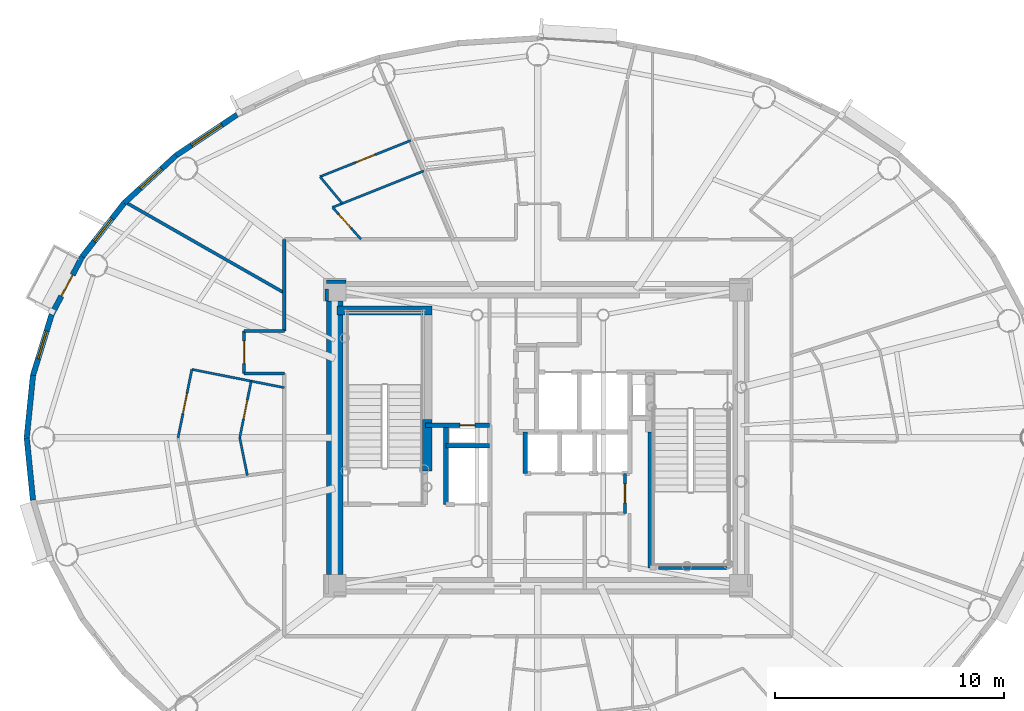
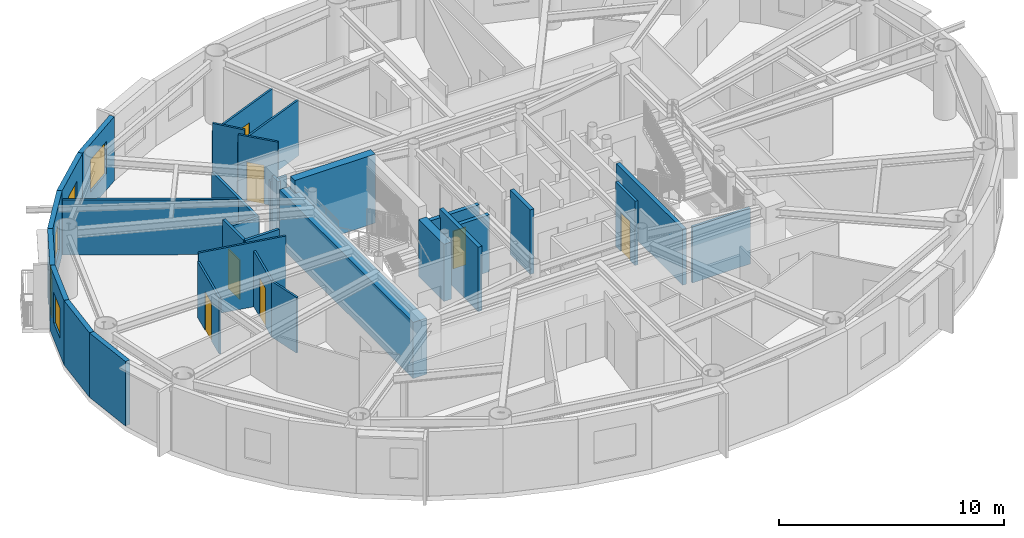
# One storey, part 7 of 18: 32 walls, 8 doors, 4 windows, 12 openings.
"""IFC4 building model written with IfcOpenShell, lengths in metres."""

from ifc_helpers import new_model, si_unit, direction, frame, frame_2d, origin, origin_2d, place, context, subcontext, project, spatial, rectangle, extrude, source, transform, mapped, material, layer, layer_set, type_object, element, fill, save


model = new_model("IFC4")

# Units and contexts
model_context = context("Model", 3, precision=1e-05, world=origin(), true_north=direction((0.0, 1.0)))
body_context = subcontext(model_context, "Body", "Model", "MODEL_VIEW")
ifc_project = project(units=[si_unit("LENGTHUNIT", "METRE"), si_unit("AREAUNIT", "SQUARE_METRE"), si_unit("VOLUMEUNIT", "CUBIC_METRE"), si_unit("PLANEANGLEUNIT", "RADIAN"), si_unit("MASSUNIT", "GRAM", prefix="KILO")], contexts=[model_context])

# Site, building, storey
site_placement = place(None, origin())
site = spatial("IfcSite", under=ifc_project, at=site_placement, CompositionType="ELEMENT")
building_placement = place(site_placement, origin())
building = spatial("IfcBuilding", under=site, at=building_placement, Name="Linh Dai School and Residence Tower", CompositionType="ELEMENT")
storey_placement = place(building_placement, frame((0.0, 0.0, 295.5)))
storey = spatial("IfcBuildingStorey", under=building, at=storey_placement, Name="L73", CompositionType="ELEMENT", Elevation=295.5)

# Wall, opening, window
ifc_material_1 = material(Name="Precast Concrete B45 (C35/45)", Category="concrete")
ifc_layer_1 = layer(ifc_material_1, 0.239990234375)
ifc_layer_set_1 = layer_set([ifc_layer_1], Name="Precast Concrete B45 (C35/45)")
wall_type_1 = type_object("IfcWallType", Name="EW-TC-240", PredefinedType="SOLIDWALL", material=ifc_layer_set_1)
wall_1_placement = place(storey_placement, frame((20.23779296875, 39.30419921875, 0.0), z_axis=(0.0, 0.0, 1.0), x_axis=(0.831250592635, 0.55589787933, 0.0)))
wall_1 = element("IfcWall", 1, at=wall_1_placement, inside=storey, type_object=wall_type_1, Name="L73 Terracotta Exterior Wall 15", PredefinedType="SOLIDWALL", context=body_context, shape_type="SweptSolid", body=[
    extrude(rectangle(XDim=3.197265625, YDim=0.239990234375, at=frame_2d((1.5986328125, 0.0))), origin(), (0.0, 0.0, 1.0), 3.5),
])
opening_1_placement = place(wall_1_placement, frame((0.798583984375, 0.0, 0.89990234375)))
opening_1 = element("IfcOpeningElement", 2, at=opening_1_placement, cuts=wall_1, Name="Opening W2", PredefinedType="OPENING", context=body_context, shape_type="SweptSolid", body=[
    extrude(rectangle(XDim=1.60009765625, YDim=1.75, at=origin_2d()), frame((0.800048828125, 0.1298828125, 0.875), z_axis=(0.0, -1.0, 0.0), x_axis=(1.0, 0.0, 0.0)), (0.0, 0.0, 1.0), 0.260009765625),
])
ifc_material_2 = material(Name="Double Low-E Insulated Glazing", Category="glass")
window_type_1 = type_object("IfcWindowType", Name="WN-RES-1600x1750", PartitioningType="DOUBLE_PANEL_VERTICAL", PredefinedType="WINDOW", material=ifc_material_2)
shared_shape_1 = source(origin(), body_context, "Body", "SweptSolid", [
    extrude(rectangle(XDim=1.60009765625, YDim=1.75, at=origin_2d()), frame((0.800048828125, 0.030029296875, 0.875), z_axis=(0.0, -1.0, 0.0), x_axis=(1.0, 0.0, 0.0)), (0.0, 0.0, 1.0), 0.06005859375),
])
window_1_placement = place(opening_1_placement, origin())
window_1 = element("IfcWindow", 3, at=window_1_placement, inside=storey, type_object=window_type_1, Name="L73 Exterior Window 15.1", OverallHeight=1.75, OverallWidth=1.60009765625, PartitioningType="DOUBLE_PANEL_VERTICAL", PredefinedType="WINDOW", context=body_context, shape_type="MappedRepresentation", body=[
    mapped(shared_shape_1, transform((0.0, 0.0, 0.0), x_axis=(1.0, 0.0, 0.0), y_axis=(0.0, 1.0, 0.0), z_axis=(0.0, 0.0, 1.0), scale=1.0)),
])
fill(opening_1, window_1)

wall_2_placement = place(storey_placement, frame((17.9697265625, 37.224609375, 0.0), z_axis=(0.0, 0.0, 1.0), x_axis=(0.737068506972, 0.675818034703, 0.0)))
wall_2 = element("IfcWall", 4, at=wall_2_placement, inside=storey, type_object=wall_type_1, Name="L73 Terracotta Exterior Wall 16", PredefinedType="SOLIDWALL", context=body_context, shape_type="SweptSolid", body=[
    extrude(rectangle(XDim=3.0771484375, YDim=0.239990234375, at=frame_2d((1.53857421875, 0.0))), origin(), (0.0, 0.0, 1.0), 3.5),
])
opening_2_placement = place(wall_2_placement, frame((0.96337890625, 0.0, 0.89990234375)))
opening_2 = element("IfcOpeningElement", 5, at=opening_2_placement, cuts=wall_2, Name="Opening W3", PredefinedType="OPENING", context=body_context, shape_type="SweptSolid", body=[
    extrude(rectangle(XDim=1.25, YDim=1.64990234375, at=origin_2d()), frame((0.625, 0.1298828125, 0.824951171875), z_axis=(0.0, -1.0, 0.0), x_axis=(1.0, 0.0, 0.0)), (0.0, 0.0, 1.0), 0.260009765625),
])
window_type_2 = type_object("IfcWindowType", Name="WN-RES-1250x1650", PartitioningType="SINGLE_PANEL", PredefinedType="WINDOW", material=ifc_material_2)
shared_shape_2 = source(origin(), body_context, "Body", "SweptSolid", [
    extrude(rectangle(XDim=1.25, YDim=1.64990234375, at=origin_2d()), frame((0.625, 0.030029296875, 0.824951171875), z_axis=(0.0, -1.0, 0.0), x_axis=(1.0, 0.0, 0.0)), (0.0, 0.0, 1.0), 0.06005859375),
])
window_2_placement = place(opening_2_placement, origin())
window_2 = element("IfcWindow", 6, at=window_2_placement, inside=storey, type_object=window_type_2, Name="L73 Exterior Window 16.1", OverallHeight=1.64990234375, OverallWidth=1.25, PartitioningType="SINGLE_PANEL", PredefinedType="WINDOW", context=body_context, shape_type="MappedRepresentation", body=[
    mapped(shared_shape_2, transform((0.0, 0.0, 0.0), x_axis=(1.0, 0.0, 0.0), y_axis=(0.0, 1.0, 0.0), z_axis=(0.0, 0.0, 1.0), scale=1.0)),
])
fill(opening_2, window_2)

wall_3_placement = place(storey_placement, frame((16.146240234375, 34.894775390625, 0.0), z_axis=(0.0, 0.0, 1.0), x_axis=(0.616337186556, 0.787482363275, 0.0)))
wall_3 = element("IfcWall", 7, at=wall_3_placement, inside=storey, type_object=wall_type_1, Name="L73 Terracotta Exterior Wall 17", PredefinedType="SOLIDWALL", context=body_context, shape_type="SweptSolid", body=[
    extrude(rectangle(XDim=2.95849609375, YDim=0.239990234375, at=frame_2d((1.479248046875, 0.0))), origin(), (0.0, 0.0, 1.0), 3.5),
])
opening_3_placement = place(wall_3_placement, frame((0.8544921875, 0.0, 0.89990234375)))
opening_3 = element("IfcOpeningElement", 8, at=opening_3_placement, cuts=wall_3, Name="Opening W3", PredefinedType="OPENING", context=body_context, shape_type="SweptSolid", body=[
    extrude(rectangle(XDim=1.25, YDim=1.64990234375, at=origin_2d()), frame((0.625, 0.1298828125, 0.824951171875), z_axis=(0.0, -1.0, 0.0), x_axis=(1.0, 0.0, 0.0)), (0.0, 0.0, 1.0), 0.260009765625),
])
window_3_placement = place(opening_3_placement, origin())
window_3 = element("IfcWindow", 9, at=window_3_placement, inside=storey, type_object=window_type_2, Name="L73 Exterior Window 17.1", OverallHeight=1.64990234375, OverallWidth=1.25, PartitioningType="SINGLE_PANEL", PredefinedType="WINDOW", context=body_context, shape_type="MappedRepresentation", body=[
    mapped(shared_shape_2, transform((0.0, 0.0, 0.0), x_axis=(1.0, 0.0, 0.0), y_axis=(0.0, 1.0, 0.0), z_axis=(0.0, 0.0, 1.0), scale=1.0)),
])
fill(opening_3, window_3)

# Wall, opening, door
wall_4_placement = place(storey_placement, frame((14.811767578125, 32.372314453125, 0.0), z_axis=(0.0, 0.0, 1.0), x_axis=(0.467628269026, 0.883925224218, 0.0)))
wall_4 = element("IfcWall", 10, at=wall_4_placement, inside=storey, type_object=wall_type_1, Name="L73 Terracotta Exterior Wall 18", PredefinedType="SOLIDWALL", context=body_context, shape_type="SweptSolid", body=[
    extrude(rectangle(XDim=2.853759765625, YDim=0.239990234375, at=frame_2d((1.4267578125, 0.0))), origin(), (0.0, 0.0, 1.0), 3.5),
])
opening_4_placement = place(wall_4_placement, frame((0.90185546875, 0.0, 0.0)))
opening_4 = element("IfcOpeningElement", 11, at=opening_4_placement, cuts=wall_4, Name="Opening BD1", PredefinedType="OPENING", context=body_context, shape_type="SweptSolid", body=[
    extrude(rectangle(XDim=1.050048828125, YDim=2.14990234375, at=origin_2d()), frame((0.52490234375, 0.1298828125, 1.074951171875), z_axis=(0.0, -1.0, 0.0), x_axis=(1.0, 0.0, 0.0)), (0.0, 0.0, 1.0), 0.260009765625),
])
ifc_material_3 = material(Name="Double-Glazed Balcony Door", Category="glass")
door_type_1 = type_object("IfcDoorType", Name="DR-BALC-1050x2150", OperationType="NOTDEFINED", PredefinedType="DOOR", material=ifc_material_3)
shared_shape_3 = source(origin(), body_context, "Body", "SweptSolid", [
    extrude(rectangle(XDim=1.050048828125, YDim=2.14990234375, at=origin_2d()), frame((0.52490234375, 0.02490234375, 1.074951171875), z_axis=(0.0, -1.0, 0.0), x_axis=(1.0, 0.0, 0.0)), (0.0, 0.0, 1.0), 0.050048828125),
])
door_1_placement = place(opening_4_placement, origin())
door_1 = element("IfcDoor", 12, at=door_1_placement, inside=storey, type_object=door_type_1, Name="L73 Glazed Balcony Door 18", OperationType="SINGLE_SWING_RIGHT", OverallHeight=2.14990234375, OverallWidth=1.050048828125, PredefinedType="DOOR", context=body_context, shape_type="MappedRepresentation", body=[
    mapped(shared_shape_3, transform((0.0, 0.0, 0.0), x_axis=(1.0, 0.0, 0.0), y_axis=(0.0, 1.0, 0.0), z_axis=(0.0, 0.0, 1.0), scale=1.0)),
])
fill(opening_4, door_1)

# Wall, opening, window
wall_5_placement = place(storey_placement, frame((13.998291015625, 29.718994140625, 0.0), z_axis=(0.0, 0.0, 1.0), x_axis=(0.2931213403, 0.956075248012, 0.0)))
wall_5 = element("IfcWall", 13, at=wall_5_placement, inside=storey, type_object=wall_type_1, Name="L73 Terracotta Exterior Wall 19", PredefinedType="SOLIDWALL", context=body_context, shape_type="SweptSolid", body=[
    extrude(rectangle(XDim=2.775146484375, YDim=0.239990234375, at=frame_2d((1.3876953125, 0.0))), origin(), (0.0, 0.0, 1.0), 3.5),
])
opening_5_placement = place(wall_5_placement, frame((0.7626953125, 0.0, 0.89990234375)))
opening_5 = element("IfcOpeningElement", 14, at=opening_5_placement, cuts=wall_5, Name="Opening W3", PredefinedType="OPENING", context=body_context, shape_type="SweptSolid", body=[
    extrude(rectangle(XDim=1.25, YDim=1.64990234375, at=origin_2d()), frame((0.625, 0.1298828125, 0.824951171875), z_axis=(0.0, -1.0, 0.0), x_axis=(1.0, 0.0, 0.0)), (0.0, 0.0, 1.0), 0.260009765625),
])
window_4_placement = place(opening_5_placement, origin())
window_4 = element("IfcWindow", 15, at=window_4_placement, inside=storey, type_object=window_type_2, Name="L73 Exterior Window 19.1", OverallHeight=1.64990234375, OverallWidth=1.25, PartitioningType="SINGLE_PANEL", PredefinedType="WINDOW", context=body_context, shape_type="MappedRepresentation", body=[
    mapped(shared_shape_2, transform((0.0, 0.0, 0.0), x_axis=(1.0, 0.0, 0.0), y_axis=(0.0, 1.0, 0.0), z_axis=(0.0, 0.0, 1.0), scale=1.0)),
])
fill(opening_5, window_4)

# Walls
for number, where, z_axis, x_axis, name in (
    (16, (13.72509765625, 27.0, 0.0), (0.0, 0.0, 1.0), (0.099972526841, 0.99499019788, 0.0), "L73 Terracotta Exterior Wall 20"),
    (17, (13.998291015625, 24.281005859375, 0.0), (0.0, 0.0, 1.0), (-0.099972526841, 0.99499019788, 0.0), "L73 Terracotta Exterior Wall 21"),
):
    element("IfcWall", number, at=place(storey_placement, frame(where, z_axis=z_axis, x_axis=x_axis)), inside=storey, type_object=wall_type_1, Name=name, PredefinedType="SOLIDWALL", context=body_context, shape_type="SweptSolid", body=[
        extrude(rectangle(XDim=2.732666015625, YDim=0.239990234375, at=frame_2d((1.3662109375, 0.0))), origin(), (0.0, 0.0, 1.0), 3.5),
    ])
ifc_material_4 = material(Name="Autoclaved Aerated Concrete Blockwork", Category="masonry")
ifc_layer_2 = layer(ifc_material_4, 0.135009765625)
ifc_layer_set_2 = layer_set([ifc_layer_2], Name="Autoclaved Aerated Concrete Blockwork")
wall_type_2 = type_object("IfcWallType", Name="IW-CORR-135-EI90", PredefinedType="PARTITIONING", material=ifc_layer_set_2)
wall_6_placement = place(storey_placement, frame((18.016357421875, 37.2744140625, 0.0), z_axis=(0.0, 0.0, 1.0), x_axis=(0.868277005727, -0.496079672357, 0.0)))
element("IfcWall", 18, at=wall_6_placement, inside=storey, type_object=wall_type_2, Name="L73 Interior Partition Wall 002", PredefinedType="PARTITIONING", context=body_context, shape_type="SweptSolid", body=[
    extrude(rectangle(XDim=7.9853515625, YDim=0.135009765625, at=frame_2d((3.99267578125, 0.0))), origin(), (0.0, 0.0, 1.0), 2.985107421875),
])

# Wall, opening, door
wall_7_placement = place(storey_placement, frame((23.199951171875, 29.800048828125, 0.0), z_axis=(0.0, 0.0, 1.0), x_axis=(0.0, 1.0, 0.0)))
wall_7 = element("IfcWall", 19, at=wall_7_placement, inside=storey, type_object=wall_type_2, Name="L73 Interior Partition Wall 011", PredefinedType="PARTITIONING", context=body_context, shape_type="SweptSolid", body=[
    extrude(rectangle(XDim=1.849853515625, YDim=0.135009765625, at=frame_2d((0.9248046875, 0.0))), origin(), (0.0, 0.0, 1.0), 3.5),
])
opening_6_placement = place(wall_7_placement, frame((0.425048828125, 0.0, 0.0)))
opening_6 = element("IfcOpeningElement", 20, at=opening_6_placement, cuts=wall_7, Name="Opening D03", PredefinedType="OPENING", context=body_context, shape_type="SweptSolid", body=[
    extrude(rectangle(XDim=1.0, YDim=2.14990234375, at=origin_2d()), frame((0.5, 0.07763671875, 1.074951171875), z_axis=(0.0, -1.0, 0.0), x_axis=(1.0, 0.0, 0.0)), (0.0, 0.0, 1.0), 0.155029296875),
])
ifc_material_5 = material(Name="Fire-Rated Solid Timber Entrance Door", Category="wood")
door_type_2 = type_object("IfcDoorType", Name="DR-FLAT-1000x2150-FD60S", OperationType="NOTDEFINED", PredefinedType="DOOR", material=ifc_material_5)
shared_shape_4 = source(origin(), body_context, "Body", "SweptSolid", [
    extrude(rectangle(XDim=1.0, YDim=2.14990234375, at=origin_2d()), frame((0.5, 0.02490234375, 1.074951171875), z_axis=(0.0, -1.0, 0.0), x_axis=(1.0, 0.0, 0.0)), (0.0, 0.0, 1.0), 0.050048828125),
])
door_2_placement = place(opening_6_placement, origin())
door_2 = element("IfcDoor", 21, at=door_2_placement, inside=storey, type_object=door_type_2, Name="L73 U7303 Apartment Entrance Door", OperationType="SINGLE_SWING_LEFT", OverallHeight=2.14990234375, OverallWidth=1.0, PredefinedType="DOOR", context=body_context, shape_type="MappedRepresentation", body=[
    mapped(shared_shape_4, transform((0.0, 0.0, 0.0), x_axis=(1.0, 0.0, 0.0), y_axis=(0.0, 1.0, 0.0), z_axis=(0.0, 0.0, 1.0), scale=1.0)),
])
fill(opening_6, door_2)

# Walls
wall_8_placement = place(storey_placement, frame((23.199951171875, 29.800048828125, 0.0), z_axis=(0.0, 0.0, 1.0), x_axis=(1.0, 0.0, 0.0)))
element("IfcWall", 22, at=wall_8_placement, inside=storey, type_object=wall_type_2, Name="L73 Interior Partition Wall 012", PredefinedType="PARTITIONING", context=body_context, shape_type="SweptSolid", body=[
    extrude(rectangle(XDim=1.75, YDim=0.135009765625, at=frame_2d((0.875, 0.0))), origin(), (0.0, 0.0, 1.0), 3.5),
])
wall_9_placement = place(storey_placement, frame((23.199951171875, 31.64990234375, 0.0), z_axis=(0.0, 0.0, 1.0), x_axis=(1.0, 0.0, 0.0)))
element("IfcWall", 23, at=wall_9_placement, inside=storey, type_object=wall_type_2, Name="L73 Interior Partition Wall 013", PredefinedType="PARTITIONING", context=body_context, shape_type="SweptSolid", body=[
    extrude(rectangle(XDim=1.75, YDim=0.135009765625, at=frame_2d((0.875, 0.0))), origin(), (0.0, 0.0, 1.0), 3.034912109375),
])
wall_10_placement = place(storey_placement, frame((24.949951171875, 31.64990234375, 0.0), z_axis=(0.0, 0.0, 1.0), x_axis=(0.0, 1.0, 0.0)))
element("IfcWall", 24, at=wall_10_placement, inside=storey, type_object=wall_type_2, Name="L73 Interior Partition Wall 018", PredefinedType="PARTITIONING", context=body_context, shape_type="SweptSolid", body=[
    extrude(rectangle(XDim=4.0, YDim=0.135009765625, at=frame_2d((2.0, 0.0))), origin(), (0.0, 0.0, 1.0), 3.034912109375),
])

# Wall, opening, door
wall_11_placement = place(storey_placement, frame((39.800048828125, 23.699951171875, 0.0), z_axis=(0.0, 0.0, 1.0), x_axis=(0.0, 1.0, 0.0)))
wall_11 = element("IfcWall", 25, at=wall_11_placement, inside=storey, type_object=wall_type_2, Name="L73 Interior Partition Wall 067", PredefinedType="PARTITIONING", context=body_context, shape_type="SweptSolid", body=[
    extrude(rectangle(XDim=1.75, YDim=0.135009765625, at=frame_2d((0.875, 0.0))), origin(), (0.0, 0.0, 1.0), 3.5),
])
opening_7_placement = place(wall_11_placement, frame((0.465087890625, 0.0, 0.0)))
opening_7 = element("IfcOpeningElement", 26, at=opening_7_placement, cuts=wall_11, Name="Opening D06", PredefinedType="OPENING", context=body_context, shape_type="SweptSolid", body=[
    extrude(rectangle(XDim=0.820068359375, YDim=2.10009765625, at=origin_2d()), frame((0.41015625, 0.07763671875, 1.050048828125), z_axis=(0.0, -1.0, 0.0), x_axis=(1.0, 0.0, 0.0)), (0.0, 0.0, 1.0), 0.155029296875),
])
ifc_material_6 = material(Name="Moisture-Resistant Timber Bathroom Door", Category="wood")
door_type_3 = type_object("IfcDoorType", Name="DR-WET-820x2100", OperationType="NOTDEFINED", PredefinedType="DOOR", material=ifc_material_6)
shared_shape_5 = source(origin(), body_context, "Body", "SweptSolid", [
    extrude(rectangle(XDim=0.820068359375, YDim=2.10009765625, at=origin_2d()), frame((0.41015625, 0.02490234375, 1.050048828125), z_axis=(0.0, -1.0, 0.0), x_axis=(1.0, 0.0, 0.0)), (0.0, 0.0, 1.0), 0.050048828125),
])
door_3_placement = place(opening_7_placement, origin())
door_3 = element("IfcDoor", 27, at=door_3_placement, inside=storey, type_object=door_type_3, Name="L73 East Linen Store Door", OperationType="SINGLE_SWING_LEFT", OverallHeight=2.10009765625, OverallWidth=0.820068359375, PredefinedType="DOOR", context=body_context, shape_type="MappedRepresentation", body=[
    mapped(shared_shape_5, transform((0.0, 0.0, 0.0), x_axis=(1.0, 0.0, 0.0), y_axis=(0.0, 1.0, 0.0), z_axis=(0.0, 0.0, 1.0), scale=1.0)),
])
fill(opening_7, door_3)

# Walls
wall_12_placement = place(storey_placement, frame((44.239990234375, 21.330078125, 0.0), z_axis=(0.0, 0.0, 1.0), x_axis=(-1.0, 0.0, 0.0)))
element("IfcWall", 28, at=wall_12_placement, inside=storey, type_object=wall_type_2, Name="L73 Interior Partition Wall 091", PredefinedType="PARTITIONING", context=body_context, shape_type="SweptSolid", body=[
    extrude(rectangle(XDim=2.97998046875, YDim=0.135009765625, at=frame_2d((1.489990234375, 0.0))), origin(), (0.0, 0.0, 1.0), 3.034912109375),
])
wall_13_placement = place(storey_placement, frame((27.639892578125, 33.800048828125, 0.0), z_axis=(0.0, 0.0, 1.0), x_axis=(-1.0, 0.0, 0.0)))
element("IfcWall", 29, at=wall_13_placement, inside=storey, type_object=wall_type_2, Name="L73 Interior Partition Wall 094", PredefinedType="PARTITIONING", context=body_context, shape_type="SweptSolid", body=[
    extrude(rectangle(XDim=0.83984375, YDim=0.135009765625, at=frame_2d((0.419921875, 0.0))), origin(), (0.0, 0.0, 1.0), 3.034912109375),
])
wall_14_placement = place(storey_placement, frame((26.800048828125, 33.492431640625, 0.0), z_axis=(0.0, 0.0, 1.0), x_axis=(0.0, -1.0, 0.0)))
element("IfcWall", 30, at=wall_14_placement, inside=storey, type_object=wall_type_2, Name="L73 Interior Partition Wall 095", PredefinedType="PARTITIONING", context=body_context, shape_type="SweptSolid", body=[
    extrude(rectangle(XDim=0.532470703125, YDim=0.135009765625, at=frame_2d((0.26611328125, 0.0))), origin(), (0.0, 0.0, 1.0), 3.5),
])

# Wall, opening, door
ifc_material_7 = material(Name="Concrete B45 (C35/45)", Category="concrete")
ifc_layer_3 = layer(ifc_material_7, 0.199951171875)
ifc_layer_set_3 = layer_set([ifc_layer_3], Name="Concrete B45 (C35/45)")
wall_type_3 = type_object("IfcWallType", Name="IW-SHAFT-200-EI120", PredefinedType="PARTITIONING", material=ifc_layer_set_3)
wall_15_placement = place(storey_placement, frame((31.10009765625, 27.550048828125, 0.0), z_axis=(0.0, 0.0, 1.0), x_axis=(1.0, 0.0, 0.0)))
wall_15 = element("IfcWall", 31, at=wall_15_placement, inside=storey, type_object=wall_type_3, Name="L73 Interior Partition Wall 029", PredefinedType="PARTITIONING", context=body_context, shape_type="SweptSolid", body=[
    extrude(rectangle(XDim=2.7998046875, YDim=0.199951171875, at=frame_2d((1.39990234375, 0.0))), origin(), (0.0, 0.0, 1.0), 3.0849609375),
])
opening_8_placement = place(wall_15_placement, frame((1.5, 0.0, 0.0)))
opening_8 = element("IfcOpeningElement", 32, at=opening_8_placement, cuts=wall_15, Name="Opening AD1", PredefinedType="OPENING", context=body_context, shape_type="SweptSolid", body=[
    extrude(rectangle(XDim=0.659912109375, YDim=2.050048828125, at=origin_2d()), frame((0.330078125, 0.10986328125, 1.02490234375), z_axis=(0.0, -1.0, 0.0), x_axis=(1.0, 0.0, 0.0)), (0.0, 0.0, 1.0), 0.219970703125),
])
ifc_material_8 = material(Name="Fire-Rated Steel Riser Access Door", Category="steel")
door_type_4 = type_object("IfcDoorType", Name="DR-ACC-660x2050-FD90S", OperationType="NOTDEFINED", PredefinedType="USERDEFINED", material=ifc_material_8)
shared_shape_6 = source(origin(), body_context, "Body", "SweptSolid", [
    extrude(rectangle(XDim=0.659912109375, YDim=2.050048828125, at=origin_2d()), frame((0.330078125, 0.02490234375, 1.02490234375), z_axis=(0.0, -1.0, 0.0), x_axis=(1.0, 0.0, 0.0)), (0.0, 0.0, 1.0), 0.050048828125),
])
door_4_placement = place(opening_8_placement, origin())
door_4 = element("IfcDoor", 33, at=door_4_placement, inside=storey, type_object=door_type_4, Name="L73 Main Electrical Riser Access Door", ObjectType="ACCESS DOOR", OperationType="SINGLE_SWING_RIGHT", OverallHeight=2.050048828125, OverallWidth=0.659912109375, PredefinedType="USERDEFINED", context=body_context, shape_type="MappedRepresentation", body=[
    mapped(shared_shape_6, transform((0.0, 0.0, 0.0), x_axis=(1.0, 0.0, 0.0), y_axis=(0.0, 1.0, 0.0), z_axis=(0.0, 0.0, 1.0), scale=1.0)),
])
fill(opening_8, door_4)

# Walls
wall_16_placement = place(storey_placement, frame((32.0, 24.10009765625, 0.0), z_axis=(0.0, 0.0, 1.0), x_axis=(0.0, 1.0, 0.0)))
element("IfcWall", 34, at=wall_16_placement, inside=storey, type_object=wall_type_3, Name="L73 Interior Partition Wall 031", PredefinedType="PARTITIONING", context=body_context, shape_type="SweptSolid", body=[
    extrude(rectangle(XDim=3.449951171875, YDim=0.199951171875, at=frame_2d((1.72509765625, 0.0))), origin(), (0.0, 0.0, 1.0), 3.5),
])
wall_17_placement = place(storey_placement, frame((32.0, 26.64990234375, 0.0), z_axis=(0.0, 0.0, 1.0), x_axis=(1.0, 0.0, 0.0)))
element("IfcWall", 35, at=wall_17_placement, inside=storey, type_object=wall_type_3, Name="L73 Interior Partition Wall 033", PredefinedType="PARTITIONING", context=body_context, shape_type="SweptSolid", body=[
    extrude(rectangle(XDim=1.89990234375, YDim=0.199951171875, at=frame_2d((0.949951171875, 0.0))), origin(), (0.0, 0.0, 1.0), 3.0849609375),
])
wall_18_placement = place(storey_placement, frame((35.449951171875, 25.449951171875, 0.0), z_axis=(0.0, 0.0, 1.0), x_axis=(0.0, 1.0, 0.0)))
element("IfcWall", 36, at=wall_18_placement, inside=storey, type_object=wall_type_3, Name="L73 Interior Partition Wall 051", PredefinedType="PARTITIONING", context=body_context, shape_type="SweptSolid", body=[
    extrude(rectangle(XDim=1.800048828125, YDim=0.199951171875, at=frame_2d((0.89990234375, 0.0))), origin(), (0.0, 0.0, 1.0), 3.5),
])
wall_19_placement = place(storey_placement, frame((40.89990234375, 21.330078125, 0.0), z_axis=(0.0, 0.0, 1.0), x_axis=(0.0, 1.0, 0.0)))
element("IfcWall", 37, at=wall_19_placement, inside=storey, type_object=wall_type_3, Name="L73 Interior Partition Wall 074", PredefinedType="PARTITIONING", context=body_context, shape_type="SweptSolid", body=[
    extrude(rectangle(XDim=5.909912109375, YDim=0.199951171875, at=frame_2d((2.955078125, 0.0))), origin(), (0.0, 0.0, 1.0), 3.034912109375),
])

# Wall, opening, door
ifc_material_9 = material(Name="Gypsum Plasterboard Acoustic Stud Partition", Category="masonry")
ifc_layer_4 = layer(ifc_material_9, 0.10009765625)
ifc_layer_set_4 = layer_set([ifc_layer_4], Name="Gypsum Plasterboard Acoustic Stud Partition")
wall_type_4 = type_object("IfcWallType", Name="IW-UNIT-100", PredefinedType="PARTITIONING", material=ifc_layer_set_4)
wall_20_placement = place(storey_placement, frame((20.320068359375, 27.0, 0.0), z_axis=(0.0, 0.0, 1.0), x_axis=(0.198201469781, 0.980161301713, 0.0)))
wall_20 = element("IfcWall", 38, at=wall_20_placement, inside=storey, type_object=wall_type_4, Name="L73 Interior Partition Wall 004", PredefinedType="PARTITIONING", context=body_context, shape_type="SweptSolid", body=[
    extrude(rectangle(XDim=3.038818359375, YDim=0.10009765625, at=frame_2d((1.51953125, 0.0))), origin(), (0.0, 0.0, 1.0), 3.034912109375),
])
opening_9_placement = place(wall_20_placement, frame((1.0693359375, 0.0, 0.0)))
opening_9 = element("IfcOpeningElement", 39, at=opening_9_placement, cuts=wall_20, Name="Opening D05", PredefinedType="OPENING", context=body_context, shape_type="SweptSolid", body=[
    extrude(rectangle(XDim=0.89990234375, YDim=2.10009765625, at=origin_2d()), frame((0.449951171875, 0.06005859375, 1.050048828125), z_axis=(0.0, -1.0, 0.0), x_axis=(1.0, 0.0, 0.0)), (0.0, 0.0, 1.0), 0.1201171875),
])
ifc_material_10 = material(Name="Engineered Timber Internal Door", Category="wood")
door_type_5 = type_object("IfcDoorType", Name="DR-INT-900x2100", OperationType="NOTDEFINED", PredefinedType="DOOR", material=ifc_material_10)
shared_shape_7 = source(origin(), body_context, "Body", "SweptSolid", [
    extrude(rectangle(XDim=0.89990234375, YDim=2.10009765625, at=origin_2d()), frame((0.449951171875, 0.02490234375, 1.050048828125), z_axis=(0.0, -1.0, 0.0), x_axis=(1.0, 0.0, 0.0)), (0.0, 0.0, 1.0), 0.050048828125),
])
door_5_placement = place(opening_9_placement, origin())
door_5 = element("IfcDoor", 40, at=door_5_placement, inside=storey, type_object=door_type_5, Name="L73 Apartment U7303 Kitchen Door", OperationType="SINGLE_SWING_RIGHT", OverallHeight=2.10009765625, OverallWidth=0.89990234375, PredefinedType="DOOR", context=body_context, shape_type="MappedRepresentation", body=[
    mapped(shared_shape_7, transform((0.0, 0.0, 0.0), x_axis=(1.0, 0.0, 0.0), y_axis=(0.0, 1.0, 0.0), z_axis=(0.0, 0.0, 1.0), scale=1.0)),
])
fill(opening_9, door_5)

# Walls
wall_21_placement = place(storey_placement, frame((20.92236328125, 29.978515625, 0.0), z_axis=(0.0, 0.0, 1.0), x_axis=(0.981042206934, -0.19379419035, 0.0)))
element("IfcWall", 41, at=wall_21_placement, inside=storey, type_object=wall_type_4, Name="L73 Interior Partition Wall 006", PredefinedType="PARTITIONING", context=body_context, shape_type="SweptSolid", body=[
    extrude(rectangle(XDim=4.105712890625, YDim=0.10009765625, at=frame_2d((2.052734375, 0.0))), origin(), (0.0, 0.0, 1.0), 3.5),
])
wall_22_placement = place(storey_placement, frame((23.008056640625, 27.0, 0.0), z_axis=(0.0, 0.0, 1.0), x_axis=(0.198189512146, -0.980163719628, 0.0)))
element("IfcWall", 42, at=wall_22_placement, inside=storey, type_object=wall_type_4, Name="L73 Interior Partition Wall 009", PredefinedType="PARTITIONING", context=body_context, shape_type="SweptSolid", body=[
    extrude(rectangle(XDim=1.67529296875, YDim=0.10009765625, at=frame_2d((0.837646484375, 0.0))), origin(), (0.0, 0.0, 1.0), 3.034912109375),
])

# Wall, opening, door
wall_23_placement = place(storey_placement, frame((23.008056640625, 27.0, 0.0), z_axis=(0.0, 0.0, 1.0), x_axis=(0.19818541272, 0.980164548525, 0.0)))
wall_23 = element("IfcWall", 43, at=wall_23_placement, inside=storey, type_object=wall_type_4, Name="L73 Interior Partition Wall 010", PredefinedType="PARTITIONING", context=body_context, shape_type="SweptSolid", body=[
    extrude(rectangle(XDim=2.51806640625, YDim=0.10009765625, at=frame_2d((1.259033203125, 0.0))), origin(), (0.0, 0.0, 1.0), 3.034912109375),
])
opening_10_placement = place(wall_23_placement, frame((0.84912109375, 0.0, 0.0)))
opening_10 = element("IfcOpeningElement", 44, at=opening_10_placement, cuts=wall_23, Name="Opening D06", PredefinedType="OPENING", context=body_context, shape_type="SweptSolid", body=[
    extrude(rectangle(XDim=0.820068359375, YDim=2.10009765625, at=origin_2d()), frame((0.41015625, 0.06005859375, 1.050048828125), z_axis=(0.0, -1.0, 0.0), x_axis=(1.0, 0.0, 0.0)), (0.0, 0.0, 1.0), 0.1201171875),
])
door_6_placement = place(opening_10_placement, origin())
door_6 = element("IfcDoor", 45, at=door_6_placement, inside=storey, type_object=door_type_3, Name="L73 Apartment U7303 Bathroom Door", OperationType="SINGLE_SWING_LEFT", OverallHeight=2.10009765625, OverallWidth=0.820068359375, PredefinedType="DOOR", context=body_context, shape_type="MappedRepresentation", body=[
    mapped(shared_shape_5, transform((0.0, 0.0, 0.0), x_axis=(1.0, 0.0, 0.0), y_axis=(0.0, 1.0, 0.0), z_axis=(0.0, 0.0, 1.0), scale=1.0)),
])
fill(opening_10, door_6)

# Wall
wall_24_placement = place(storey_placement, frame((26.507080078125, 38.378173828125, 0.0), z_axis=(0.0, 0.0, 1.0), x_axis=(0.640626707989, -0.767852473468, 0.0)))
element("IfcWall", 46, at=wall_24_placement, inside=storey, type_object=wall_type_4, Name="L73 Interior Partition Wall 020", PredefinedType="PARTITIONING", context=body_context, shape_type="SweptSolid", body=[
    extrude(rectangle(XDim=1.519775390625, YDim=0.10009765625, at=frame_2d((0.759765625, 0.0))), origin(), (0.0, 0.0, 1.0), 3.5),
])

# Wall, opening, door
wall_25_placement = place(storey_placement, frame((26.507080078125, 38.378173828125, 0.0), z_axis=(0.0, 0.0, 1.0), x_axis=(0.928788495711, 0.370610213345, 0.0)))
wall_25 = element("IfcWall", 47, at=wall_25_placement, inside=storey, type_object=wall_type_4, Name="L73 Interior Partition Wall 021", PredefinedType="PARTITIONING", context=body_context, shape_type="SweptSolid", body=[
    extrude(rectangle(XDim=4.261474609375, YDim=0.10009765625, at=frame_2d((2.130859375, 0.0))), origin(), (0.0, 0.0, 1.0), 3.034912109375),
])
opening_11_placement = place(wall_25_placement, frame((1.680908203125, 0.0, 0.0)))
opening_11 = element("IfcOpeningElement", 48, at=opening_11_placement, cuts=wall_25, Name="Opening D05", PredefinedType="OPENING", context=body_context, shape_type="SweptSolid", body=[
    extrude(rectangle(XDim=0.89990234375, YDim=2.10009765625, at=origin_2d()), frame((0.449951171875, 0.06005859375, 1.050048828125), z_axis=(0.0, -1.0, 0.0), x_axis=(1.0, 0.0, 0.0)), (0.0, 0.0, 1.0), 0.1201171875),
])
door_7_placement = place(opening_11_placement, origin())
door_7 = element("IfcDoor", 49, at=door_7_placement, inside=storey, type_object=door_type_5, Name="L73 Apartment U7302 Kitchen Door", OperationType="SINGLE_SWING_RIGHT", OverallHeight=2.10009765625, OverallWidth=0.89990234375, PredefinedType="DOOR", context=body_context, shape_type="MappedRepresentation", body=[
    mapped(shared_shape_7, transform((0.0, 0.0, 0.0), x_axis=(1.0, 0.0, 0.0), y_axis=(0.0, 1.0, 0.0), z_axis=(0.0, 0.0, 1.0), scale=1.0)),
])
fill(opening_11, door_7)

wall_26_placement = place(storey_placement, frame((27.054931640625, 37.04150390625, 0.0), z_axis=(0.0, 0.0, 1.0), x_axis=(0.665119722178, -0.746736737525, 0.0)))
wall_26 = element("IfcWall", 50, at=wall_26_placement, inside=storey, type_object=wall_type_4, Name="L73 Interior Partition Wall 022", PredefinedType="PARTITIONING", context=body_context, shape_type="SweptSolid", body=[
    extrude(rectangle(XDim=1.863525390625, YDim=0.10009765625, at=frame_2d((0.931640625, 0.0))), origin(), (0.0, 0.0, 1.0), 3.5),
])
opening_12_placement = place(wall_26_placement, frame((0.401123046875, 0.0, 0.0)))
opening_12 = element("IfcOpeningElement", 51, at=opening_12_placement, cuts=wall_26, Name="Opening D06", PredefinedType="OPENING", context=body_context, shape_type="SweptSolid", body=[
    extrude(rectangle(XDim=0.820068359375, YDim=2.10009765625, at=origin_2d()), frame((0.41015625, 0.06005859375, 1.050048828125), z_axis=(0.0, -1.0, 0.0), x_axis=(1.0, 0.0, 0.0)), (0.0, 0.0, 1.0), 0.1201171875),
])
door_8_placement = place(opening_12_placement, origin())
door_8 = element("IfcDoor", 52, at=door_8_placement, inside=storey, type_object=door_type_3, Name="L73 Apartment U7302 Bathroom Door", OperationType="SINGLE_SWING_LEFT", OverallHeight=2.10009765625, OverallWidth=0.820068359375, PredefinedType="DOOR", context=body_context, shape_type="MappedRepresentation", body=[
    mapped(shared_shape_5, transform((0.0, 0.0, 0.0), x_axis=(1.0, 0.0, 0.0), y_axis=(0.0, 1.0, 0.0), z_axis=(0.0, 0.0, 1.0), scale=1.0)),
])
fill(opening_12, door_8)

# Walls
wall_27_placement = place(storey_placement, frame((27.054931640625, 37.04150390625, 0.0), z_axis=(0.0, 0.0, 1.0), x_axis=(0.928814416372, 0.370545246819, 0.0)))
element("IfcWall", 53, at=wall_27_placement, inside=storey, type_object=wall_type_4, Name="L73 Interior Partition Wall 023", PredefinedType="PARTITIONING", context=body_context, shape_type="SweptSolid", body=[
    extrude(rectangle(XDim=4.28271484375, YDim=0.10009765625, at=frame_2d((2.141357421875, 0.0))), origin(), (0.0, 0.0, 1.0), 3.034912109375),
])
ifc_layer_5 = layer(ifc_material_7, 0.39990234375)
ifc_layer_set_5 = layer_set([ifc_layer_5], Name="Concrete B45 (C35/45)")
wall_type_5 = type_object("IfcWallType", Name="WL-CORE400", PredefinedType="SHEAR", material=ifc_layer_set_5)
wall_28_placement = place(storey_placement, frame((27.25, 32.550048828125, 0.0), z_axis=(0.0, 0.0, 1.0), x_axis=(1.0, 0.0, 0.0)))
element("IfcWall", 54, at=wall_28_placement, inside=storey, type_object=wall_type_5, Name="L73 Core Stair ST1 Bearing Wall N", PredefinedType="SHEAR", context=body_context, shape_type="SweptSolid", body=[
    extrude(rectangle(XDim=4.1298828125, YDim=0.39990234375, at=frame_2d((2.06494140625, 0.0))), origin(), (0.0, 0.0, 1.0), 3.75),
])
wall_29_placement = place(storey_placement, frame((31.179931640625, 25.550048828125, 0.0), z_axis=(0.0, 0.0, 1.0), x_axis=(0.0, 1.0, 0.0)))
element("IfcWall", 55, at=wall_29_placement, inside=storey, type_object=wall_type_5, Name="L73 Internal Core Shear Wall IW", PredefinedType="SHEAR", context=body_context, shape_type="SweptSolid", body=[
    extrude(rectangle(XDim=2.25, YDim=0.39990234375, at=frame_2d((1.125, 0.0))), origin(), (0.0, 0.0, 1.0), 3.10009765625),
])
ifc_layer_6 = layer(ifc_material_7, 0.699951171875)
ifc_layer_set_6 = layer_set([ifc_layer_6], Name="Concrete B45 (C35/45)")
wall_type_6 = type_object("IfcWallType", Name="WL-CORE700", PredefinedType="SHEAR", material=ifc_layer_set_6)
wall_30_placement = place(storey_placement, frame((27.14990234375, 21.050048828125, 0.0), z_axis=(0.0, 0.0, 1.0), x_axis=(0.0, 1.0, 0.0)))
element("IfcWall", 56, at=wall_30_placement, inside=storey, type_object=wall_type_6, Name="L73 Central Core Shear Wall W", PredefinedType="SHEAR", context=body_context, shape_type="SweptSolid", body=[
    extrude(rectangle(XDim=11.89990234375, YDim=0.699951171875, at=frame_2d((5.949951171875, 0.0))), origin(), (0.0, 0.0, 1.0), 3.050048828125),
])

save(model, "model.ifc")
